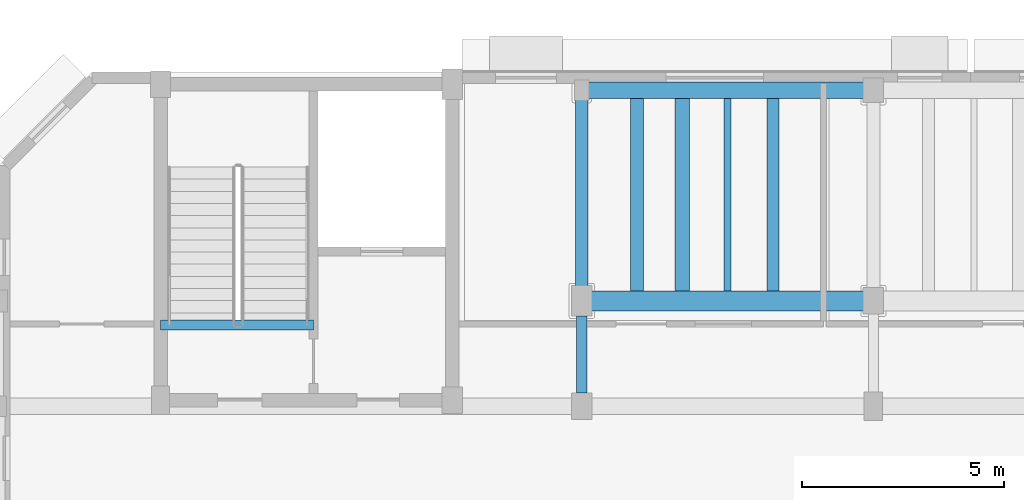
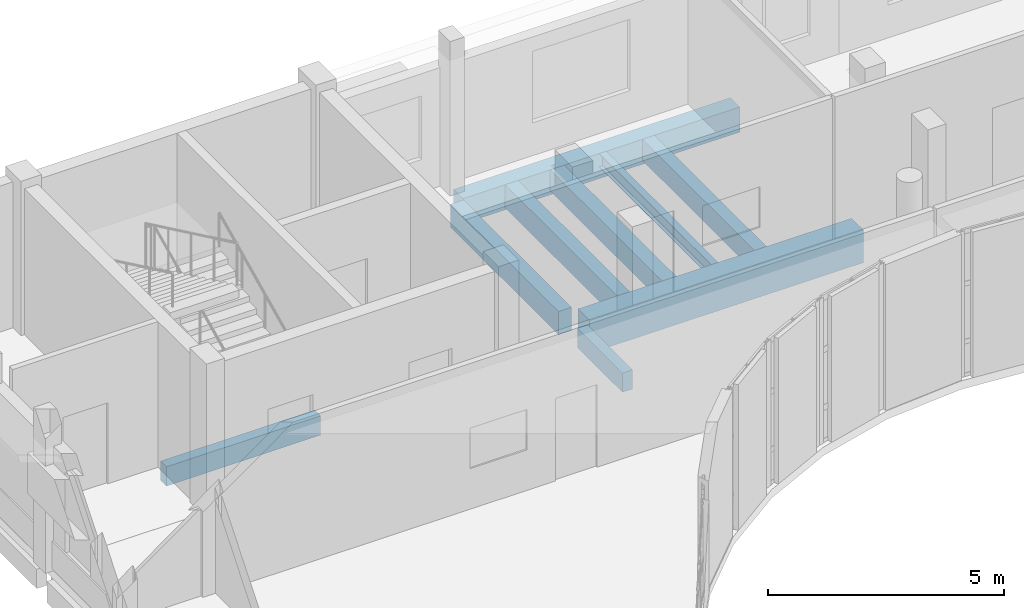
# One storey, part 43 of 105: 9 beams.
"""IFC4 building model written with IfcOpenShell, lengths in metres."""

from ifc_helpers import new_model, si_unit, direction, frame, origin, origin_2d, place, context, subcontext, project, spatial, rectangle, i_section, extrude, material, material_profile, profile_set, type_object, element, save


model = new_model("IFC4")

# Units and contexts
model_context = context("Model", 3, precision=1e-05, world=origin(), true_north=direction((0.0, 1.0)))
body_context = subcontext(model_context, "Body", "Model", "MODEL_VIEW")
ifc_project = project(units=[si_unit("LENGTHUNIT", "METRE"), si_unit("AREAUNIT", "SQUARE_METRE"), si_unit("VOLUMEUNIT", "CUBIC_METRE"), si_unit("PLANEANGLEUNIT", "RADIAN"), si_unit("MASSUNIT", "GRAM", prefix="KILO")], contexts=[model_context])

# Site, building, storey
site_placement = place(None, origin())
site = spatial("IfcSite", under=ifc_project, at=site_placement, CompositionType="ELEMENT")
building_placement = place(site_placement, origin())
building = spatial("IfcBuilding", under=site, at=building_placement, Name="Kelanivale Promenade Academy", CompositionType="ELEMENT")
storey_placement = place(building_placement, frame((0.0, 0.0, 4.199951171875)))
storey = spatial("IfcBuildingStorey", under=building, at=storey_placement, Name="L01", CompositionType="ELEMENT", Elevation=4.199951171875)

# Beams
ifc_material_1 = material(Name="Concrete C35/45", Category="concrete")
ifc_material_profile_1 = material_profile(ifc_material_1, rectangle(XDim=0.39990234375, YDim=0.64990234375, at=origin_2d()), Name="RC-BM 400x650")
ifc_profile_set_1 = profile_set([ifc_material_profile_1], Name="Concrete C35/45")
beam_type_1 = type_object("IfcBeamType", Name="BM-01 RC-BM 400x650", PredefinedType="BEAM", material=ifc_profile_set_1)
beam_1_placement = place(storey_placement, frame((57.77001953125, 79.39990234375, -0.544921875), z_axis=(1.0, 0.0, 0.0), x_axis=(0.0, 1.0, 0.0)))
element("IfcBeam", 1, at=beam_1_placement, inside=storey, type_object=beam_type_1, Name="L01 girder BM-01", PredefinedType="BEAM", context=body_context, shape_type="SweptSolid", body=[
    extrude(rectangle(XDim=0.39990234375, YDim=0.64990234375, at=origin_2d()), origin(), (0.0, 0.0, 1.0), 6.784912109375),
])
ifc_material_profile_2 = material_profile(ifc_material_1, rectangle(XDim=0.5, YDim=0.85009765625, at=origin_2d()), Name="RC-BM 500x850")
ifc_profile_set_2 = profile_set([ifc_material_profile_2], Name="Concrete C35/45")
beam_type_2 = type_object("IfcBeamType", Name="BM-07 RC-BM 500x850", PredefinedType="BEAM", material=ifc_profile_set_2)
beam_2_placement = place(storey_placement, frame((57.844970703125, 74.199951171875, -0.64501953125), z_axis=(1.0, 0.0, 0.0), x_axis=(0.0, 1.0, 0.0)))
element("IfcBeam", 2, at=beam_2_placement, inside=storey, type_object=beam_type_2, Name="L01 girder BM-07", PredefinedType="BEAM", context=body_context, shape_type="SweptSolid", body=[
    extrude(rectangle(XDim=0.5, YDim=0.85009765625, at=origin_2d()), origin(), (0.0, 0.0, 1.0), 6.7099609375),
])
ifc_material_profile_3 = material_profile(ifc_material_1, rectangle(XDim=0.300048828125, YDim=0.550048828125, at=origin_2d()), Name="RC-BM 300x550")
ifc_profile_set_3 = profile_set([ifc_material_profile_3], Name="Concrete C35/45")
beam_type_3 = type_object("IfcBeamType", Name="JS-02 RC-BM 300x550", PredefinedType="JOIST", material=ifc_profile_set_3)
beam_3_placement = place(storey_placement, frame((62.318115234375, 74.449951171875, -0.494873046875), z_axis=(0.0, 1.0, 0.0), x_axis=(-1.0, 0.0, 0.0)))
element("IfcBeam", 3, at=beam_3_placement, inside=storey, type_object=beam_type_3, Name="L01 secondary sub-beam JS-02", PredefinedType="JOIST", context=body_context, shape_type="SweptSolid", body=[
    extrude(rectangle(XDim=0.300048828125, YDim=0.550048828125, at=origin_2d()), origin(), (0.0, 0.0, 1.0), 4.75),
])
ifc_material_profile_4 = material_profile(ifc_material_1, rectangle(XDim=0.320068359375, YDim=0.60009765625, at=origin_2d()), Name="RC-BM 320x600")
ifc_profile_set_4 = profile_set([ifc_material_profile_4], Name="Concrete C35/45")
beam_type_4 = type_object("IfcBeamType", Name="JS-05 RC-BM 320x600", PredefinedType="JOIST", material=ifc_profile_set_4)
beam_4_placement = place(storey_placement, frame((57.60009765625, 74.570068359375, -0.52001953125), z_axis=(0.0, 1.0, 0.0), x_axis=(-1.0, 0.0, 0.0)))
element("IfcBeam", 4, at=beam_4_placement, inside=storey, type_object=beam_type_4, Name="L01 beam JS-05", PredefinedType="JOIST", context=body_context, shape_type="SweptSolid", body=[
    extrude(rectangle(XDim=0.320068359375, YDim=0.60009765625, at=origin_2d()), origin(), (0.0, 0.0, 1.0), 4.5849609375),
])
beam_5_placement = place(storey_placement, frame((58.962890625, 74.449951171875, -0.52001953125), z_axis=(0.0, 1.0, 0.0), x_axis=(-1.0, 0.0, 0.0)))
element("IfcBeam", 5, at=beam_5_placement, inside=storey, type_object=beam_type_4, Name="L01 secondary sub-beam JS-05", PredefinedType="JOIST", context=body_context, shape_type="SweptSolid", body=[
    extrude(rectangle(XDim=0.320068359375, YDim=0.60009765625, at=origin_2d()), origin(), (0.0, 0.0, 1.0), 4.75),
])
ifc_material_profile_5 = material_profile(ifc_material_1, rectangle(XDim=0.35009765625, YDim=0.550048828125, at=origin_2d()), Name="RC-BM 350x550")
ifc_profile_set_5 = profile_set([ifc_material_profile_5], Name="Concrete C35/45")
beam_type_5 = type_object("IfcBeamType", Name="JS-06 RC-BM 350x550", PredefinedType="JOIST", material=ifc_profile_set_5)
beam_6_placement = place(storey_placement, frame((60.08203125, 74.449951171875, -0.494873046875), z_axis=(0.0, 1.0, 0.0), x_axis=(-1.0, 0.0, 0.0)))
element("IfcBeam", 6, at=beam_6_placement, inside=storey, type_object=beam_type_5, Name="L01 secondary sub-beam JS-06", PredefinedType="JOIST", context=body_context, shape_type="SweptSolid", body=[
    extrude(rectangle(XDim=0.35009765625, YDim=0.550048828125, at=origin_2d()), origin(), (0.0, 0.0, 1.0), 4.75),
])
ifc_material_profile_6 = material_profile(ifc_material_1, rectangle(XDim=0.25, YDim=0.5, at=origin_2d()), Name="RC-BM 250x500")
ifc_profile_set_6 = profile_set([ifc_material_profile_6], Name="Concrete C35/45")
beam_type_6 = type_object("IfcBeamType", Name="LN-02 RC-BM 250x500", PredefinedType="LINTEL", material=ifc_profile_set_6)
beam_7_placement = place(storey_placement, frame((57.60009765625, 71.919921875, -0.469970703125), z_axis=(0.0, 1.0, 0.0), x_axis=(-1.0, 0.0, 0.0)))
element("IfcBeam", 7, at=beam_7_placement, inside=storey, type_object=beam_type_6, Name="L01 beam LN-02", PredefinedType="LINTEL", context=body_context, shape_type="SweptSolid", body=[
    extrude(rectangle(XDim=0.25, YDim=0.5, at=origin_2d()), origin(), (0.0, 0.0, 1.0), 1.91015625),
])
beam_8_placement = place(storey_placement, frame((47.199951171875, 73.60498046875, -0.25), z_axis=(1.0, 0.0, 0.0), x_axis=(0.0, 1.0, 0.0)))
element("IfcBeam", 8, at=beam_8_placement, inside=storey, type_object=beam_type_6, Name="CORE-4 stair arrival trimmer beam L01", PredefinedType="LINTEL", context=body_context, shape_type="SweptSolid", body=[
    extrude(rectangle(XDim=0.25, YDim=0.5, at=origin_2d()), origin(), (0.0, 0.0, 1.0), 3.775146484375),
])
ifc_material_2 = material(Name="Steel S355", Category="steel")
ifc_material_profile_7 = material_profile(ifc_material_2, i_section(OverallWidth=0.17138671875, OverallDepth=0.35498046875, WebThickness=0.00732421875, FlangeThickness=0.011474609375, FilletRadius=0.01025390625, at=origin_2d()), Name="UB 356x171x51")
ifc_profile_set_7 = profile_set([ifc_material_profile_7], Name="Steel S355")
beam_type_7 = type_object("IfcBeamType", Name="SB-04 UB 356x171x51", PredefinedType="BEAM", material=ifc_profile_set_7)
beam_9_placement = place(storey_placement, frame((61.199951171875, 74.449951171875, -0.39697265625), z_axis=(0.0, 1.0, 0.0), x_axis=(-1.0, 0.0, 0.0)))
element("IfcBeam", 9, at=beam_9_placement, inside=storey, type_object=beam_type_7, Name="L01 secondary sub-beam SB-04", PredefinedType="BEAM", context=body_context, shape_type="SweptSolid", body=[
    extrude(i_section(OverallWidth=0.17138671875, OverallDepth=0.35498046875, WebThickness=0.00732421875, FlangeThickness=0.011474609375, FilletRadius=0.01025390625, at=origin_2d()), origin(), (0.0, 0.0, 1.0), 4.75),
])

save(model, "model.ifc")
